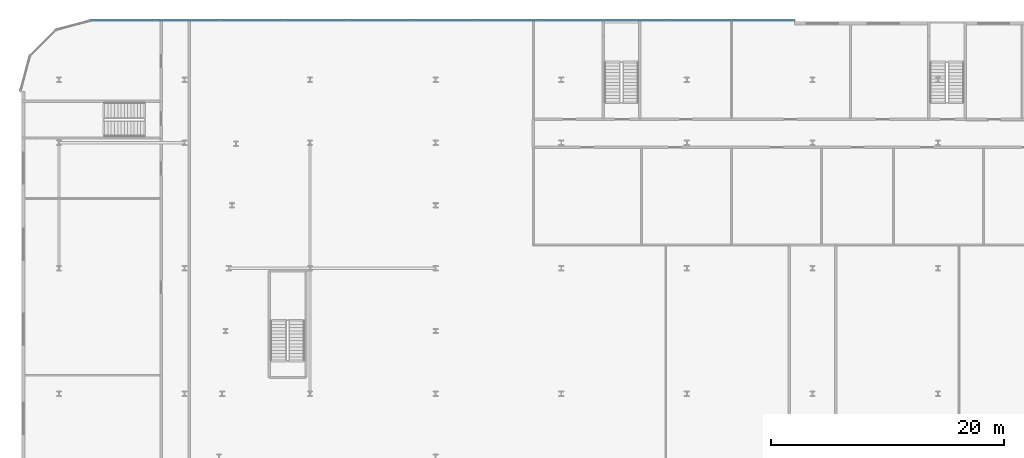
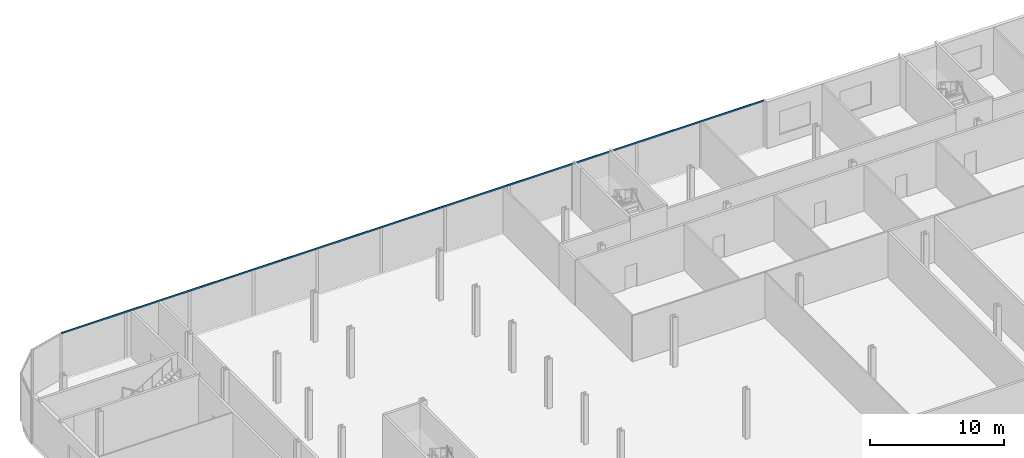
# One storey, part 17 of 47: 1 member, 1 element without a shape of its own.
"""IFC4 building model written with IfcOpenShell, lengths in metres."""

import ifcopenshell
import ifcopenshell.guid

model = None  # the IFC model being written
_history = None  # IfcOwnerHistory: only IFC2X3 demands one
_inside = {}  # id of a spatial element -> (the spatial element, [elements in it])
_under = {}  # id of a project, library or spatial element -> (it, [spatial elements below it])
_declared = {}  # id of a project -> (the project, [libraries it declares])
_typed = {}  # id of a type object -> (the type object, [elements of that type])
_made_of = {}  # id of a material, layer set ... -> (it, [elements and type objects made of it])


def new_model(schema):
    """Start an empty IFC model of exactly this schema.

    Asked for "IFC4X3", IfcOpenShell would pick the latest addendum, in which some entities
    have other attributes; the version numbers below select the first issue.
    IFC2X3 requires an IfcOwnerHistory on every rooted entity: one is made here for all.
    """
    global model, _history
    if schema == "IFC4X3":
        model = ifcopenshell.file(schema_version=(4, 3, 0, 0))
    else:
        model = ifcopenshell.file(schema=schema)
    _inside.clear()
    _under.clear()
    _declared.clear()
    _typed.clear()
    _made_of.clear()
    _history = None
    if model.schema == "IFC2X3":
        org = make("IfcOrganization", Name="unknown")
        user = make(
            "IfcPersonAndOrganization",
            ThePerson=make("IfcPerson", FamilyName="unknown"),
            TheOrganization=org,
        )
        app = make(
            "IfcApplication",
            ApplicationDeveloper=org,
            Version="unknown",
            ApplicationFullName="unknown",
            ApplicationIdentifier="unknown",
        )
        _history = make(
            "IfcOwnerHistory",
            OwningUser=user,
            OwningApplication=app,
            ChangeAction="ADDED",
            CreationDate=0,
        )
    return model


def make(cls, **values):
    """One entity of the class cls with the attributes given. An attribute that is None is left unset."""
    return model.create_entity(
        cls, **{name: value for name, value in values.items() if value is not None}
    )


def rooted(cls, **values):
    """An entity with a GlobalId (a new one), such as an element, a storey or a relation."""
    return make(cls, GlobalId=ifcopenshell.guid.new(), OwnerHistory=_history, **values)


def si_unit(unit_type, name, prefix=None):
    """IfcSIUnit, for example si_unit("LENGTHUNIT", "METRE", prefix="MILLI")."""
    return make("IfcSIUnit", UnitType=unit_type, Prefix=prefix, Name=name)


def assignment(units):
    """IfcUnitAssignment: the units of a project."""
    return None if units is None else make("IfcUnitAssignment", Units=units)


def point(xyz):
    """IfcCartesianPoint."""
    return None if xyz is None else make("IfcCartesianPoint", Coordinates=xyz)


def direction(xyz):
    """IfcDirection."""
    return None if xyz is None else make("IfcDirection", DirectionRatios=xyz)


def frame(location, z_axis=None, x_axis=None):
    """IfcAxis2Placement3D, a coordinate frame: its origin and axes. An axis left out is left unset."""
    return make(
        "IfcAxis2Placement3D",
        Location=point(location),
        Axis=direction(z_axis),
        RefDirection=direction(x_axis),
    )


def frame_2d(location, x_axis=None):
    """IfcAxis2Placement2D, a coordinate frame in the plane: its origin and x axis."""
    return make(
        "IfcAxis2Placement2D", Location=point(location), RefDirection=direction(x_axis)
    )


def origin():
    """The frame at (0, 0, 0) with its axes left unset."""
    return frame((0.0, 0.0, 0.0))


def origin_2d():
    """The frame at (0, 0) in the plane with its x axis left unset."""
    return frame_2d((0.0, 0.0))


def place(relative_to, where):
    """IfcLocalPlacement: puts the frame where relative to a parent placement (None: the world)."""
    return make(
        "IfcLocalPlacement", PlacementRelTo=relative_to, RelativePlacement=where
    )


def context(
    kind, dimensions, precision=None, world=None, true_north=None, identifier=None
):
    """IfcGeometricRepresentationContext, for example the 3D "Model" context."""
    return make(
        "IfcGeometricRepresentationContext",
        ContextIdentifier=identifier,
        ContextType=kind,
        CoordinateSpaceDimension=dimensions,
        Precision=precision,
        WorldCoordinateSystem=world,
        TrueNorth=true_north,
    )


def subcontext(parent, identifier, kind, view, scale=None):
    """IfcGeometricRepresentationSubContext, for example "Body" below "Model"."""
    return make(
        "IfcGeometricRepresentationSubContext",
        ContextIdentifier=identifier,
        ContextType=kind,
        ParentContext=parent,
        TargetScale=scale,
        TargetView=view,
    )


def project(units=None, contexts=None):
    """IfcProject with its units and contexts."""
    return rooted(
        "IfcProject",
        Name="project",
        RepresentationContexts=contexts,
        UnitsInContext=assignment(units),
    )


def spatial(cls, under=None, at=None, **own):
    """A site, building, storey or space (cls), placed at a placement, below another one or the project."""
    s = rooted(cls, ObjectPlacement=at, **own)
    if under is not None:
        _under.setdefault(under.id(), (under, []))[1].append(s)
    return s


def profile(cls, at=None, kind="AREA", **sizes):
    """A parametric profile (cls). Its sizes go by their IFC names, for example OverallWidth=200.0."""
    return make(cls, ProfileType=kind, Position=at, **sizes)


def rectangle(**sizes):
    """IfcRectangleProfileDef."""
    return profile("IfcRectangleProfileDef", **sizes)


def extrude(swept, where, along, depth):
    """IfcExtrudedAreaSolid: the profile swept, set in the frame where, extruded along a direction by depth."""
    return make(
        "IfcExtrudedAreaSolid",
        SweptArea=swept,
        Position=where,
        ExtrudedDirection=direction(along),
        Depth=depth,
    )


def shape(context_of_items, identifier, shape_type, items):
    """IfcShapeRepresentation: the items that make up one representation, for example the "Body"."""
    return make(
        "IfcShapeRepresentation",
        ContextOfItems=context_of_items,
        RepresentationIdentifier=identifier,
        RepresentationType=shape_type,
        Items=items,
    )


def material(Name=None, Category=None):
    """IfcMaterial."""
    return make("IfcMaterial", Name=Name, Category=Category)


def layer(
    of_material, thickness, ventilated=None, Name=None, Category=None, Priority=None
):
    """IfcMaterialLayer: one layer of a wall or slab, of a material (None: an air gap)."""
    return make(
        "IfcMaterialLayer",
        Material=of_material,
        LayerThickness=thickness,
        IsVentilated=ventilated,
        Name=Name,
        Category=Category,
        Priority=Priority,
    )


def layer_set(layers, Name=None):
    """IfcMaterialLayerSet."""
    return make("IfcMaterialLayerSet", MaterialLayers=layers, LayerSetName=Name)


def material_profile(
    of_material, cross_section, Name=None, Category=None, Priority=None
):
    """IfcMaterialProfile: a cross section and its material."""
    return make(
        "IfcMaterialProfile",
        Name=Name,
        Material=of_material,
        Profile=cross_section,
        Priority=Priority,
        Category=Category,
    )


def profile_set(profiles, Name=None, composite=None):
    """IfcMaterialProfileSet."""
    return make(
        "IfcMaterialProfileSet",
        Name=Name,
        MaterialProfiles=profiles,
        CompositeProfile=composite,
    )


def made_of(thing, what):
    """Note that an element or type object is made of a material, layer set ...; save() writes the relation."""
    if what is not None:
        _made_of.setdefault(what.id(), (what, []))[1].append(thing)
    return thing


def type_object(cls, material=None, **own):
    """A type object (cls), such as IfcWallType, which elements share."""
    return made_of(rooted(cls, **own), material)


def element(
    cls,
    number,
    at=None,
    inside=None,
    cuts=None,
    type_object=None,
    material=None,
    context=None,
    identifier="Body",
    shape_type=None,
    held_by="IfcProductDefinitionShape",
    body=None,
    shapes=None,
    **own,
):
    """One element of the class cls, such as IfcWall. Its Tag is "e" and its number.

    at: its placement. inside: the storey or other place that contains it. cuts: it is an
    opening in that element (IfcRelVoidsElement). A single representation is given by context,
    identifier, shape_type and body (its items); several are given by shapes. held_by: the class
    of the entity that holds the representations. save() writes the other relations.
    """
    e = rooted(cls, Tag="e%d" % number, ObjectPlacement=at, **own)
    if body is not None:
        shapes = [shape(context, identifier, shape_type, body)]
    if shapes is not None:
        e.Representation = make(held_by, Representations=shapes)
    if inside is not None:
        _inside.setdefault(inside.id(), (inside, []))[1].append(e)
    if cuts is not None:
        rooted(
            "IfcRelVoidsElement", RelatingBuildingElement=cuts, RelatedOpeningElement=e
        )
    if type_object is not None:
        _typed.setdefault(type_object.id(), (type_object, []))[1].append(e)
    return made_of(e, material)


def aggregate(whole, parts):
    """IfcRelAggregates: a whole, such as a stair, and the parts it consists of."""
    return rooted("IfcRelAggregates", RelatingObject=whole, RelatedObjects=parts)


def save(model, path):
    """Write the relations noted so far, then the file.

    IfcRelAggregates (storeys below a building ...), IfcRelContainedInSpatialStructure (elements
    in a storey), IfcRelDefinesByType, IfcRelAssociatesMaterial and IfcRelDeclares: one each for
    every whole, place, type object, material and project.
    """
    for whole, parts in _under.values():
        aggregate(whole, parts)
    for where, things in _inside.values():
        rooted(
            "IfcRelContainedInSpatialStructure",
            RelatedElements=things,
            RelatingStructure=where,
        )
    for kind, things in _typed.values():
        rooted("IfcRelDefinesByType", RelatedObjects=things, RelatingType=kind)
    for what, things in _made_of.values():
        rooted("IfcRelAssociatesMaterial", RelatedObjects=things, RelatingMaterial=what)
    for by, libraries in _declared.values():
        rooted("IfcRelDeclares", RelatingContext=by, RelatedDefinitions=libraries)
    model.write(path)


model = new_model("IFC4")

# Units and contexts
model_context = context("Model", 3, precision=1e-05, world=origin(), true_north=direction((0.0, 1.0)))
body_context = subcontext(model_context, "Body", "Model", "MODEL_VIEW")
ifc_project = project(units=[si_unit("LENGTHUNIT", "METRE"), si_unit("AREAUNIT", "SQUARE_METRE"), si_unit("VOLUMEUNIT", "CUBIC_METRE"), si_unit("PLANEANGLEUNIT", "RADIAN"), si_unit("MASSUNIT", "GRAM", prefix="KILO")], contexts=[model_context])

# Site, building, storey
site_placement = place(None, origin())
site = spatial("IfcSite", under=ifc_project, at=site_placement, CompositionType="ELEMENT")
building_placement = place(site_placement, origin())
building = spatial("IfcBuilding", under=site, at=building_placement, Name="Kheshtan School and Residences Tower", CompositionType="ELEMENT")
storey_placement = place(building_placement, frame((0.0, 0.0, 17.0)))
storey = spatial("IfcBuildingStorey", under=building, at=storey_placement, Name="L03", CompositionType="ELEMENT", Elevation=17.0)

# Curtain wall, member
ifc_material_1 = material(Name="Clear low-e glass in thermally broken aluminium frame", Category="aluminium")
ifc_layer = layer(ifc_material_1, 0.22509765625)
ifc_layer_set = layer_set([ifc_layer], Name="Curtain wall CW-P")
curtain_wall_type = type_object("IfcCurtainWallType", Name="Curtain wall CW-P", PredefinedType="NOTDEFINED", material=ifc_layer_set)
curtain_wall_placement = place(storey_placement, origin())
curtain_wall = element("IfcCurtainWall", 1, at=curtain_wall_placement, inside=storey, type_object=curtain_wall_type, Name="Curtain wall CWP4a", PredefinedType="NOTDEFINED")
ifc_material_2 = material(Name="Thermally broken aluminium, dark bronze anodised", Category="aluminium")
ifc_material_profile = material_profile(ifc_material_2, rectangle(XDim=0.06005859375, YDim=0.139892578125, at=origin_2d()), Name="CW-P transom 60x140")
ifc_profile_set = profile_set([ifc_material_profile], Name="Thermally broken aluminium, dark bronze anodised")
member_type = type_object("IfcMemberType", Name="CW-P transom 60x140", PredefinedType="USERDEFINED", material=ifc_profile_set)
member_placement = place(storey_placement, frame((17.97509765625, 110.10009765625, 4.179931640625), z_axis=(1.0, 0.0, 0.0), x_axis=(0.0, 1.0, 0.0)))
member = element("IfcMember", 2, at=member_placement, type_object=member_type, Name="CWP4a transom 1", ObjectType="TRANSOM", PredefinedType="USERDEFINED", context=body_context, shape_type="SweptSolid", body=[
    extrude(rectangle(XDim=0.06005859375, YDim=0.139892578125, at=origin_2d()), origin(), (0.0, 0.0, 1.0), 60.44482421875),
])
aggregate(curtain_wall, [member])

save(model, "model.ifc")
